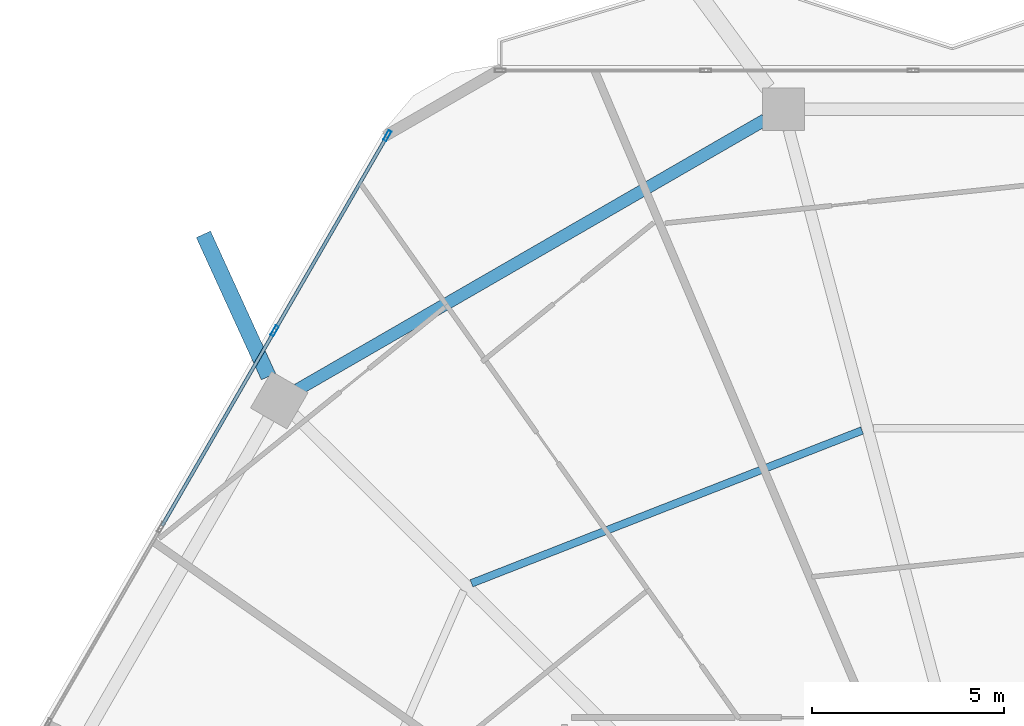
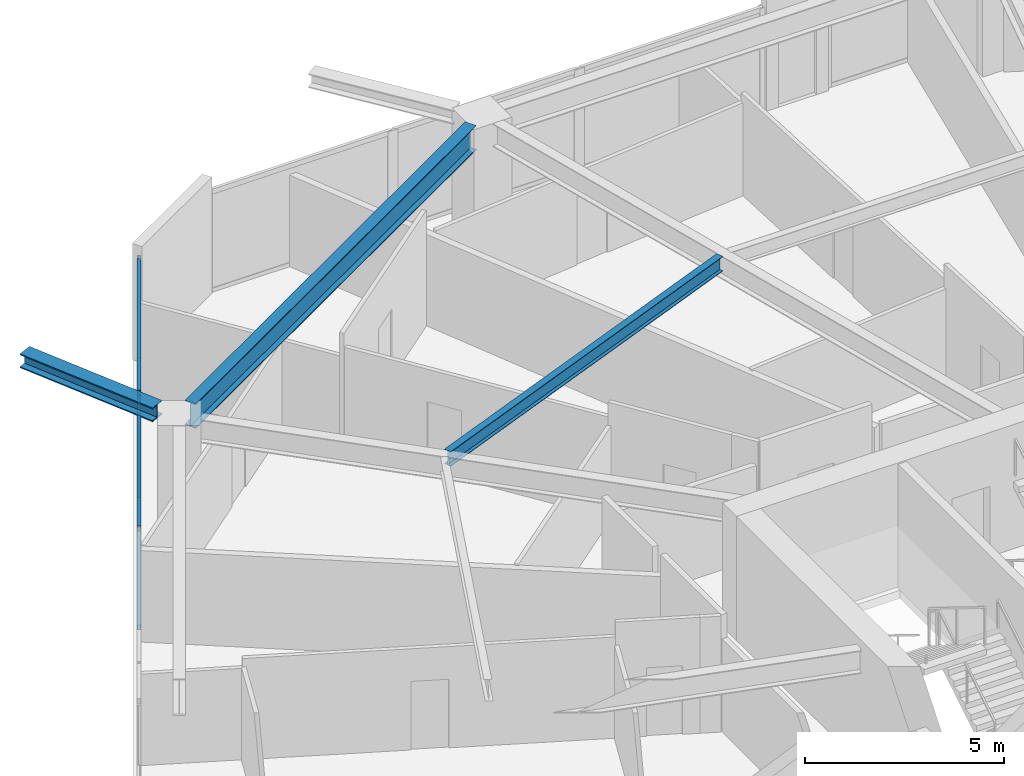
# One storey, part 15 of 33: 6 members, 3 beams, 1 element without a shape of its own.
"""IFC4 building model written with IfcOpenShell, lengths in metres."""

from ifc_helpers import new_model, si_unit, direction, frame, origin, origin_2d, place, context, subcontext, project, spatial, hollow_rectangle, i_section, extrude, material, material_profile, profile_set, type_object, element, aggregate, save


model = new_model("IFC4")

# Units and contexts
model_context = context("Model", 3, precision=1e-05, world=origin(), true_north=direction((0.0, 1.0)))
body_context = subcontext(model_context, "Body", "Model", "MODEL_VIEW")
ifc_project = project(units=[si_unit("LENGTHUNIT", "METRE"), si_unit("AREAUNIT", "SQUARE_METRE"), si_unit("VOLUMEUNIT", "CUBIC_METRE"), si_unit("PLANEANGLEUNIT", "RADIAN"), si_unit("MASSUNIT", "GRAM", prefix="KILO")], contexts=[model_context])

# Site, building, storey
site_placement = place(None, origin())
site = spatial("IfcSite", under=ifc_project, at=site_placement, CompositionType="ELEMENT")
building_placement = place(site_placement, origin())
building = spatial("IfcBuilding", under=site, at=building_placement, Name="Zuhravey Tower", CompositionType="ELEMENT")
storey_placement = place(building_placement, frame((0.0, 0.0, 103.800048828125)))
storey = spatial("IfcBuildingStorey", under=building, at=storey_placement, Name="L25", CompositionType="ELEMENT", Elevation=103.800048828125)

# Curtain wall, members
ifc_material_1 = material(Name="Thermally broken anodised aluminium", Category="aluminium")
curtain_wall_type = type_object("IfcCurtainWallType", Name="Zone 1-2 Residential Curtain Wall CW3", PredefinedType="NOTDEFINED", material=ifc_material_1)
curtain_wall_placement = place(storey_placement, origin())
curtain_wall = element("IfcCurtainWall", 1, at=curtain_wall_placement, inside=storey, type_object=curtain_wall_type, Name="L25 CW3 CW-L25-F3-1", PredefinedType="NOTDEFINED")
ifc_material_2 = material(Name="Anodised aluminium", Category="aluminium")
ifc_material_profile_1 = material_profile(ifc_material_2, hollow_rectangle(XDim=0.090087890625, YDim=0.284912109375, WallThickness=0.0048828125, at=origin_2d()), Name="ALU-RHS-90x285x5")
ifc_profile_set_1 = profile_set([ifc_material_profile_1], Name="Anodised aluminium")
member_type_1 = type_object("IfcMemberType", Name="Curtain-Wall Mullion 90x180", PredefinedType="MULLION", material=ifc_profile_set_1)
member_1_placement = place(storey_placement, frame((15.361083984375, 54.169189453125, 0.0), z_axis=(0.0, 0.0, 1.0), x_axis=(-0.86602552265, 0.499999794119, 0.0)))
member_1 = element("IfcMember", 2, at=member_1_placement, type_object=member_type_1, Name="CW3 mullion 5", PredefinedType="MULLION", context=body_context, shape_type="SweptSolid", body=[
    extrude(hollow_rectangle(XDim=0.090087890625, YDim=0.284912109375, WallThickness=0.0048828125, at=origin_2d()), origin(), (0.0, 0.0, 1.0), 3.1220703125),
])
member_2_placement = place(storey_placement, frame((18.298583984375, 59.257080078125, 0.0), z_axis=(0.0, 0.0, 1.0), x_axis=(-0.86602552265, 0.499999794119, 0.0)))
member_2 = element("IfcMember", 3, at=member_2_placement, type_object=member_type_1, Name="CW3 mullion 6", PredefinedType="MULLION", context=body_context, shape_type="SweptSolid", body=[
    extrude(hollow_rectangle(XDim=0.090087890625, YDim=0.284912109375, WallThickness=0.0048828125, at=origin_2d()), origin(), (0.0, 0.0, 1.0), 3.1220703125),
])
ifc_material_profile_2 = material_profile(ifc_material_2, hollow_rectangle(XDim=0.090087890625, YDim=0.14990234375, WallThickness=0.0048828125, at=origin_2d()), Name="ALU-RHS-90x150x5")
ifc_profile_set_2 = profile_set([ifc_material_profile_2], Name="Anodised aluminium")
member_type_2 = type_object("IfcMemberType", Name="Curtain-Wall Transom 90x150", PredefinedType="USERDEFINED", material=ifc_profile_set_2)
member_3_placement = place(storey_placement, frame((12.423583984375, 49.08154296875, 0.044921875), z_axis=(0.500012451049, 0.866018215049, 0.0), x_axis=(-0.866018215049, 0.500012451049, 0.0)))
member_3 = element("IfcMember", 4, at=member_3_placement, type_object=member_type_2, Name="CW3 transom 4.1", ObjectType="TRANSOM", PredefinedType="USERDEFINED", context=body_context, shape_type="SweptSolid", body=[
    extrude(hollow_rectangle(XDim=0.090087890625, YDim=0.14990234375, WallThickness=0.0048828125, at=origin_2d()), origin(), (0.0, 0.0, 1.0), 5.829833984375),
])
member_4_placement = place(storey_placement, frame((12.423583984375, 49.08154296875, 3.076904296875), z_axis=(0.500012451049, 0.866018215049, 0.0), x_axis=(-0.866018215049, 0.500012451049, 0.0)))
member_4 = element("IfcMember", 5, at=member_4_placement, type_object=member_type_2, Name="CW3 transom 4.2", ObjectType="TRANSOM", PredefinedType="USERDEFINED", context=body_context, shape_type="SweptSolid", body=[
    extrude(hollow_rectangle(XDim=0.090087890625, YDim=0.14990234375, WallThickness=0.0048828125, at=origin_2d()), origin(), (0.0, 0.0, 1.0), 5.829833984375),
])
member_5_placement = place(storey_placement, frame((15.383544921875, 54.208251953125, 0.044921875), z_axis=(0.499992798144, 0.866029561738, 0.0), x_axis=(-0.866029561738, 0.499992798144, 0.0)))
member_5 = element("IfcMember", 6, at=member_5_placement, type_object=member_type_2, Name="CW3 transom 5.1", ObjectType="TRANSOM", PredefinedType="USERDEFINED", context=body_context, shape_type="SweptSolid", body=[
    extrude(hollow_rectangle(XDim=0.090087890625, YDim=0.14990234375, WallThickness=0.0048828125, at=origin_2d()), origin(), (0.0, 0.0, 1.0), 5.78466796875),
])
member_6_placement = place(storey_placement, frame((15.383544921875, 54.208251953125, 3.076904296875), z_axis=(0.499992798144, 0.866029561738, 0.0), x_axis=(-0.866029561738, 0.499992798144, 0.0)))
member_6 = element("IfcMember", 7, at=member_6_placement, type_object=member_type_2, Name="CW3 transom 5.2", ObjectType="TRANSOM", PredefinedType="USERDEFINED", context=body_context, shape_type="SweptSolid", body=[
    extrude(hollow_rectangle(XDim=0.090087890625, YDim=0.14990234375, WallThickness=0.0048828125, at=origin_2d()), origin(), (0.0, 0.0, 1.0), 5.78466796875),
])
aggregate(curtain_wall, [member_1, member_2, member_3, member_4, member_5, member_6])

# Beams
ifc_material_3 = material(Name="Steel SM460", Category="steel")
ifc_material_profile_3 = material_profile(ifc_material_3, i_section(OverallWidth=0.406982421875, OverallDepth=0.427978515625, WebThickness=0.02001953125, FlangeThickness=0.034912109375, at=origin_2d()), Name="H-428x407x20x35")
ifc_profile_set_3 = profile_set([ifc_material_profile_3], Name="Steel SM460")
beam_type_1 = type_object("IfcBeamType", Name="Exoskeleton Node Tie Beam H428x407", PredefinedType="BEAM", material=ifc_profile_set_3)
beam_1_placement = place(storey_placement, frame((15.19873046875, 52.974365234375, 3.3359375), z_axis=(-0.415970473335, 0.909378120098, 0.0), x_axis=(-0.909378120098, -0.415970473335, 0.0)))
element("IfcBeam", 8, at=beam_1_placement, inside=storey, type_object=beam_type_1, Name="L25 Exoskeleton Node Tie NT1-05", PredefinedType="BEAM", context=body_context, shape_type="SweptSolid", body=[
    extrude(i_section(OverallWidth=0.406982421875, OverallDepth=0.427978515625, WebThickness=0.02001953125, FlangeThickness=0.034912109375, at=origin_2d()), origin(), (0.0, 0.0, 1.0), 4.07958984375),
])
ifc_material_4 = material(Name="Steel SM355", Category="steel")
ifc_material_profile_4 = material_profile(ifc_material_4, i_section(OverallWidth=0.320068359375, OverallDepth=0.75, WebThickness=0.013916015625, FlangeThickness=0.02490234375, at=origin_2d()), Name="H-750x320x14x25")
ifc_profile_set_4 = profile_set([ifc_material_profile_4], Name="Steel SM355")
beam_type_2 = type_object("IfcBeamType", Name="Perimeter Ring Beam H750x320", PredefinedType="BEAM", material=ifc_profile_set_4)
beam_2_placement = place(storey_placement, frame((28.151123046875, 59.672119140625, 3.175048828125), z_axis=(-0.866017786538, -0.500013193225, 0.0), x_axis=(0.500013193225, -0.866017786538, 0.0)))
element("IfcBeam", 9, at=beam_2_placement, inside=storey, type_object=beam_type_2, Name="L25 PB1 BM-L25-PB-04", PredefinedType="BEAM", context=body_context, shape_type="SweptSolid", body=[
    extrude(i_section(OverallWidth=0.320068359375, OverallDepth=0.75, WebThickness=0.013916015625, FlangeThickness=0.02490234375, at=origin_2d()), origin(), (0.0, 0.0, 1.0), 14.0771484375),
])
ifc_material_profile_5 = material_profile(ifc_material_4, i_section(OverallWidth=0.199951171875, OverallDepth=0.449951171875, WebThickness=0.009033203125, FlangeThickness=0.013916015625, at=origin_2d()), Name="H-450x200x9x14")
ifc_profile_set_5 = profile_set([ifc_material_profile_5], Name="Steel SM355")
beam_type_3 = type_object("IfcBeamType", Name="Secondary Floor Joist H450x200", PredefinedType="JOIST", material=ifc_profile_set_5)
beam_3_placement = place(storey_placement, frame((30.681640625, 51.568359375, 3.324951171875), z_axis=(-0.931216764731, -0.364465824302, 0.0), x_axis=(0.364465824302, -0.931216764731, 0.0)))
element("IfcBeam", 10, at=beam_3_placement, inside=storey, type_object=beam_type_3, Name="L25 SJ1 BM-L25-SJ-04-1", PredefinedType="JOIST", context=body_context, shape_type="SweptSolid", body=[
    extrude(i_section(OverallWidth=0.199951171875, OverallDepth=0.449951171875, WebThickness=0.009033203125, FlangeThickness=0.013916015625, at=origin_2d()), origin(), (0.0, 0.0, 1.0), 10.939453125),
])

save(model, "model.ifc")
